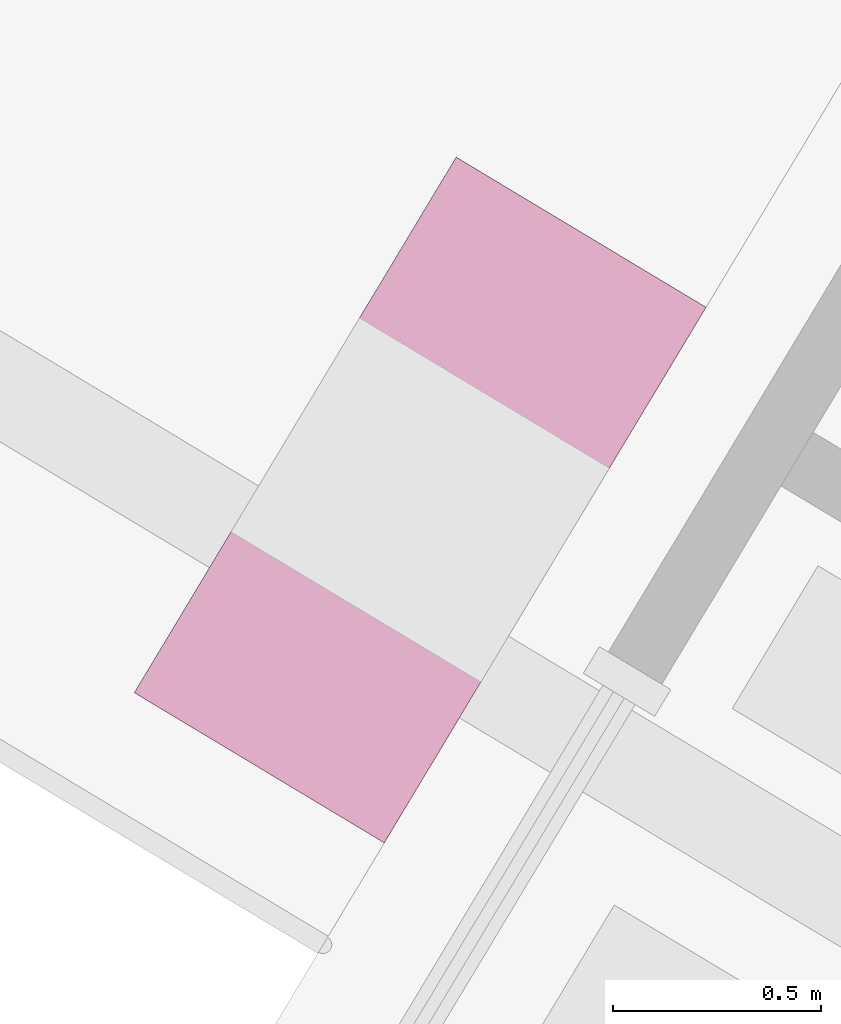
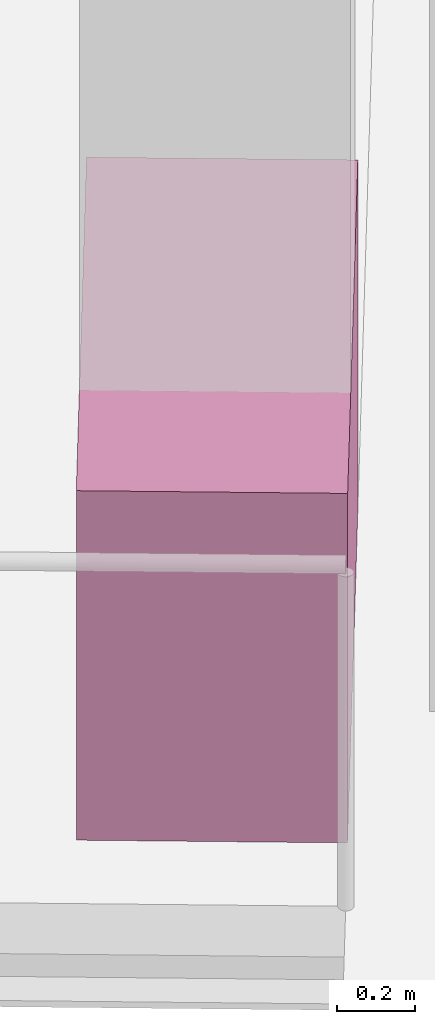
# One storey, part 18 of 19: 1 furniture element.
"""IFC4 building model written with IfcOpenShell, lengths in metres."""

import ifcopenshell
import ifcopenshell.guid

model = None  # the IFC model being written
_history = None  # IfcOwnerHistory: only IFC2X3 demands one
_inside = {}  # id of a spatial element -> (the spatial element, [elements in it])
_under = {}  # id of a project, library or spatial element -> (it, [spatial elements below it])
_declared = {}  # id of a project -> (the project, [libraries it declares])
_typed = {}  # id of a type object -> (the type object, [elements of that type])
_made_of = {}  # id of a material, layer set ... -> (it, [elements and type objects made of it])


def new_model(schema):
    """Start an empty IFC model of exactly this schema.

    Asked for "IFC4X3", IfcOpenShell would pick the latest addendum, in which some entities
    have other attributes; the version numbers below select the first issue.
    IFC2X3 requires an IfcOwnerHistory on every rooted entity: one is made here for all.
    """
    global model, _history
    if schema == "IFC4X3":
        model = ifcopenshell.file(schema_version=(4, 3, 0, 0))
    else:
        model = ifcopenshell.file(schema=schema)
    _inside.clear()
    _under.clear()
    _declared.clear()
    _typed.clear()
    _made_of.clear()
    _history = None
    if model.schema == "IFC2X3":
        org = make("IfcOrganization", Name="unknown")
        user = make(
            "IfcPersonAndOrganization",
            ThePerson=make("IfcPerson", FamilyName="unknown"),
            TheOrganization=org,
        )
        app = make(
            "IfcApplication",
            ApplicationDeveloper=org,
            Version="unknown",
            ApplicationFullName="unknown",
            ApplicationIdentifier="unknown",
        )
        _history = make(
            "IfcOwnerHistory",
            OwningUser=user,
            OwningApplication=app,
            ChangeAction="ADDED",
            CreationDate=0,
        )
    return model


def make(cls, **values):
    """One entity of the class cls with the attributes given. An attribute that is None is left unset."""
    return model.create_entity(
        cls, **{name: value for name, value in values.items() if value is not None}
    )


def rooted(cls, **values):
    """An entity with a GlobalId (a new one), such as an element, a storey or a relation."""
    return make(cls, GlobalId=ifcopenshell.guid.new(), OwnerHistory=_history, **values)


def si_unit(unit_type, name, prefix=None):
    """IfcSIUnit, for example si_unit("LENGTHUNIT", "METRE", prefix="MILLI")."""
    return make("IfcSIUnit", UnitType=unit_type, Prefix=prefix, Name=name)


def assignment(units):
    """IfcUnitAssignment: the units of a project."""
    return None if units is None else make("IfcUnitAssignment", Units=units)


def point(xyz):
    """IfcCartesianPoint."""
    return None if xyz is None else make("IfcCartesianPoint", Coordinates=xyz)


def direction(xyz):
    """IfcDirection."""
    return None if xyz is None else make("IfcDirection", DirectionRatios=xyz)


def frame(location, z_axis=None, x_axis=None):
    """IfcAxis2Placement3D, a coordinate frame: its origin and axes. An axis left out is left unset."""
    return make(
        "IfcAxis2Placement3D",
        Location=point(location),
        Axis=direction(z_axis),
        RefDirection=direction(x_axis),
    )


def frame_2d(location, x_axis=None):
    """IfcAxis2Placement2D, a coordinate frame in the plane: its origin and x axis."""
    return make(
        "IfcAxis2Placement2D", Location=point(location), RefDirection=direction(x_axis)
    )


def origin():
    """The frame at (0, 0, 0) with its axes left unset."""
    return frame((0.0, 0.0, 0.0))


def origin_2d():
    """The frame at (0, 0) in the plane with its x axis left unset."""
    return frame_2d((0.0, 0.0))


def place(relative_to, where):
    """IfcLocalPlacement: puts the frame where relative to a parent placement (None: the world)."""
    return make(
        "IfcLocalPlacement", PlacementRelTo=relative_to, RelativePlacement=where
    )


def context(
    kind, dimensions, precision=None, world=None, true_north=None, identifier=None
):
    """IfcGeometricRepresentationContext, for example the 3D "Model" context."""
    return make(
        "IfcGeometricRepresentationContext",
        ContextIdentifier=identifier,
        ContextType=kind,
        CoordinateSpaceDimension=dimensions,
        Precision=precision,
        WorldCoordinateSystem=world,
        TrueNorth=true_north,
    )


def subcontext(parent, identifier, kind, view, scale=None):
    """IfcGeometricRepresentationSubContext, for example "Body" below "Model"."""
    return make(
        "IfcGeometricRepresentationSubContext",
        ContextIdentifier=identifier,
        ContextType=kind,
        ParentContext=parent,
        TargetScale=scale,
        TargetView=view,
    )


def project(units=None, contexts=None):
    """IfcProject with its units and contexts."""
    return rooted(
        "IfcProject",
        Name="project",
        RepresentationContexts=contexts,
        UnitsInContext=assignment(units),
    )


def spatial(cls, under=None, at=None, **own):
    """A site, building, storey or space (cls), placed at a placement, below another one or the project."""
    s = rooted(cls, ObjectPlacement=at, **own)
    if under is not None:
        _under.setdefault(under.id(), (under, []))[1].append(s)
    return s


def profile(cls, at=None, kind="AREA", **sizes):
    """A parametric profile (cls). Its sizes go by their IFC names, for example OverallWidth=200.0."""
    return make(cls, ProfileType=kind, Position=at, **sizes)


def rectangle(**sizes):
    """IfcRectangleProfileDef."""
    return profile("IfcRectangleProfileDef", **sizes)


def extrude(swept, where, along, depth):
    """IfcExtrudedAreaSolid: the profile swept, set in the frame where, extruded along a direction by depth."""
    return make(
        "IfcExtrudedAreaSolid",
        SweptArea=swept,
        Position=where,
        ExtrudedDirection=direction(along),
        Depth=depth,
    )


def shape(context_of_items, identifier, shape_type, items):
    """IfcShapeRepresentation: the items that make up one representation, for example the "Body"."""
    return make(
        "IfcShapeRepresentation",
        ContextOfItems=context_of_items,
        RepresentationIdentifier=identifier,
        RepresentationType=shape_type,
        Items=items,
    )


def source(mapping_origin, context_of_items, identifier, shape_type, items):
    """IfcRepresentationMap: a shape defined once, which mapped items show again and again."""
    return make(
        "IfcRepresentationMap",
        MappingOrigin=mapping_origin,
        MappedRepresentation=shape(context_of_items, identifier, shape_type, items),
    )


def transform(
    local_origin,
    x_axis=None,
    y_axis=None,
    z_axis=None,
    scale=None,
    scale2=None,
    scale3=None,
    uniform=True,
):
    """IfcCartesianTransformationOperator3D, or its non-uniform kind. x_axis, y_axis, z_axis: its Axis1, 2, 3."""
    if uniform:
        return make(
            "IfcCartesianTransformationOperator3D",
            Axis1=direction(x_axis),
            Axis2=direction(y_axis),
            LocalOrigin=point(local_origin),
            Scale=scale,
            Axis3=direction(z_axis),
        )
    return make(
        "IfcCartesianTransformationOperator3DnonUniform",
        Axis1=direction(x_axis),
        Axis2=direction(y_axis),
        LocalOrigin=point(local_origin),
        Scale=scale,
        Axis3=direction(z_axis),
        Scale2=scale2,
        Scale3=scale3,
    )


def mapped(mapping_source, mapping_target):
    """IfcMappedItem: shows the shape of a source again, moved by a transform."""
    return make(
        "IfcMappedItem", MappingSource=mapping_source, MappingTarget=mapping_target
    )


def material(Name=None, Category=None):
    """IfcMaterial."""
    return make("IfcMaterial", Name=Name, Category=Category)


def made_of(thing, what):
    """Note that an element or type object is made of a material, layer set ...; save() writes the relation."""
    if what is not None:
        _made_of.setdefault(what.id(), (what, []))[1].append(thing)
    return thing


def type_object(cls, material=None, **own):
    """A type object (cls), such as IfcWallType, which elements share."""
    return made_of(rooted(cls, **own), material)


def element(
    cls,
    number,
    at=None,
    inside=None,
    cuts=None,
    type_object=None,
    material=None,
    context=None,
    identifier="Body",
    shape_type=None,
    held_by="IfcProductDefinitionShape",
    body=None,
    shapes=None,
    **own,
):
    """One element of the class cls, such as IfcWall. Its Tag is "e" and its number.

    at: its placement. inside: the storey or other place that contains it. cuts: it is an
    opening in that element (IfcRelVoidsElement). A single representation is given by context,
    identifier, shape_type and body (its items); several are given by shapes. held_by: the class
    of the entity that holds the representations. save() writes the other relations.
    """
    e = rooted(cls, Tag="e%d" % number, ObjectPlacement=at, **own)
    if body is not None:
        shapes = [shape(context, identifier, shape_type, body)]
    if shapes is not None:
        e.Representation = make(held_by, Representations=shapes)
    if inside is not None:
        _inside.setdefault(inside.id(), (inside, []))[1].append(e)
    if cuts is not None:
        rooted(
            "IfcRelVoidsElement", RelatingBuildingElement=cuts, RelatedOpeningElement=e
        )
    if type_object is not None:
        _typed.setdefault(type_object.id(), (type_object, []))[1].append(e)
    return made_of(e, material)


def aggregate(whole, parts):
    """IfcRelAggregates: a whole, such as a stair, and the parts it consists of."""
    return rooted("IfcRelAggregates", RelatingObject=whole, RelatedObjects=parts)


def save(model, path):
    """Write the relations noted so far, then the file.

    IfcRelAggregates (storeys below a building ...), IfcRelContainedInSpatialStructure (elements
    in a storey), IfcRelDefinesByType, IfcRelAssociatesMaterial and IfcRelDeclares: one each for
    every whole, place, type object, material and project.
    """
    for whole, parts in _under.values():
        aggregate(whole, parts)
    for where, things in _inside.values():
        rooted(
            "IfcRelContainedInSpatialStructure",
            RelatedElements=things,
            RelatingStructure=where,
        )
    for kind, things in _typed.values():
        rooted("IfcRelDefinesByType", RelatedObjects=things, RelatingType=kind)
    for what, things in _made_of.values():
        rooted("IfcRelAssociatesMaterial", RelatedObjects=things, RelatingMaterial=what)
    for by, libraries in _declared.values():
        rooted("IfcRelDeclares", RelatingContext=by, RelatedDefinitions=libraries)
    model.write(path)


model = new_model("IFC4")

# Units and contexts
model_context = context("Model", 3, precision=1e-05, world=origin(), true_north=direction((0.0, 1.0)))
body_context = subcontext(model_context, "Body", "Model", "MODEL_VIEW")
ifc_project = project(units=[si_unit("LENGTHUNIT", "METRE"), si_unit("AREAUNIT", "SQUARE_METRE"), si_unit("VOLUMEUNIT", "CUBIC_METRE"), si_unit("PLANEANGLEUNIT", "RADIAN"), si_unit("MASSUNIT", "GRAM", prefix="KILO")], contexts=[model_context])

# Site, building, storey
site_placement = place(None, origin())
site = spatial("IfcSite", under=ifc_project, at=site_placement, CompositionType="ELEMENT")
building_placement = place(site_placement, origin())
building = spatial("IfcBuilding", under=site, at=building_placement, Name="Triune Harvest Tower", CompositionType="ELEMENT")
storey_placement = place(building_placement, frame((0.0, 0.0, 183.5)))
storey = spatial("IfcBuildingStorey", under=building, at=storey_placement, Name="L47", CompositionType="ELEMENT", Elevation=183.5)

# Furniture
ifc_material = material(Name="Concrete 40 MPa", Category="concrete")
furniture_type = type_object("IfcFurnitureType", Name="PB-1 structural planter", AssemblyPlace="SITE", PredefinedType="USERDEFINED", material=ifc_material)
shared_shape = source(origin(), body_context, "Body", "SweptSolid", [
    extrude(rectangle(XDim=1.5, YDim=0.699951171875, at=origin_2d()), origin(), (0.0, 0.0, 1.0), 1.10009765625),
])
furniture_placement = place(storey_placement, frame((-14.79345703125, 16.788330078125, 0.0), z_axis=(0.0, 0.0, 1.0), x_axis=(-0.515036632219, -0.857168167557, 0.0)))
element("IfcFurniture", 1, at=furniture_placement, inside=storey, type_object=furniture_type, Name="Planter B5-F3 L47.4b", ObjectType="PLANTER", PredefinedType="USERDEFINED", context=body_context, shape_type="MappedRepresentation", body=[
    mapped(shared_shape, transform((0.0, 0.0, 0.0), scale=1.0)),
])

save(model, "model.ifc")
